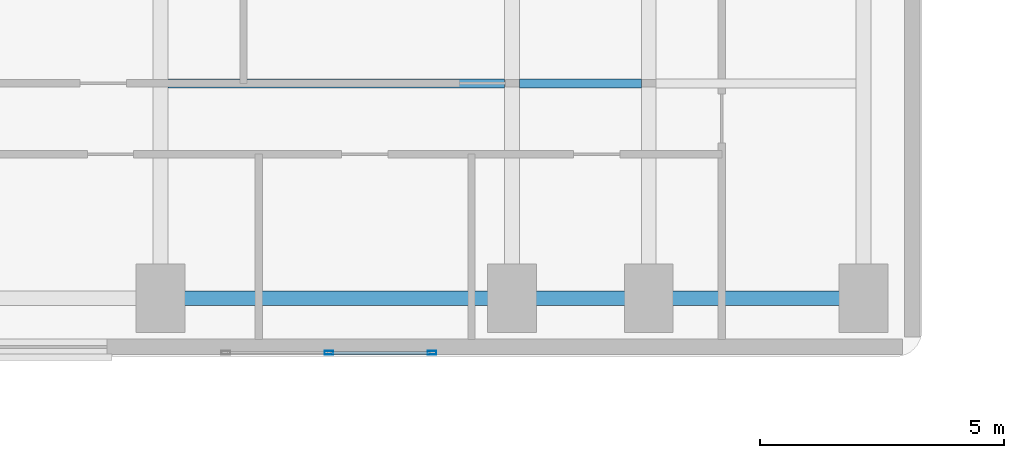
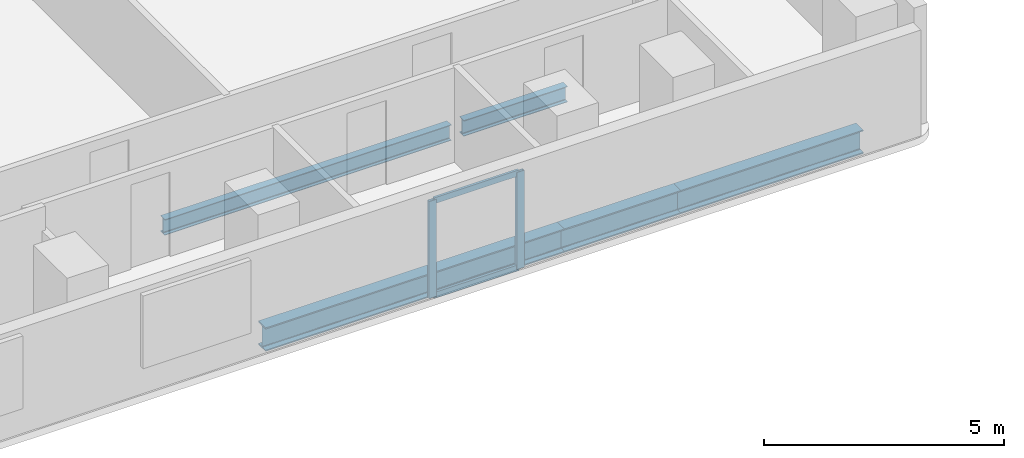
# One storey, part 6 of 15: 5 beams, 4 members, 1 element without a shape of its own.
"""IFC4 building model written with IfcOpenShell, lengths in metres."""

from ifc_helpers import new_model, si_unit, direction, frame, origin, origin_2d, place, context, subcontext, project, spatial, hollow_rectangle, i_section, extrude, material, material_profile, profile_set, type_object, element, aggregate, save


model = new_model("IFC4")

# Units and contexts
model_context = context("Model", 3, precision=1e-05, world=origin(), true_north=direction((0.0, 1.0)))
body_context = subcontext(model_context, "Body", "Model", "MODEL_VIEW")
ifc_project = project(units=[si_unit("LENGTHUNIT", "METRE"), si_unit("AREAUNIT", "SQUARE_METRE"), si_unit("VOLUMEUNIT", "CUBIC_METRE"), si_unit("PLANEANGLEUNIT", "RADIAN"), si_unit("MASSUNIT", "GRAM", prefix="KILO")], contexts=[model_context])

# Site, building, storey
site_placement = place(None, origin())
site = spatial("IfcSite", under=ifc_project, at=site_placement, CompositionType="ELEMENT")
building_placement = place(site_placement, origin())
building = spatial("IfcBuilding", under=site, at=building_placement, Name="Kuzgunbayir Cultural Tower", CompositionType="ELEMENT")
storey_placement = place(building_placement, frame((0.0, 0.0, 59.60009765625)))
storey = spatial("IfcBuildingStorey", under=building, at=storey_placement, Name="L16", CompositionType="ELEMENT", Elevation=59.60009765625)

# Beams
ifc_material_1 = material(Name="Steel S355J2", Category="steel")
ifc_material_profile_1 = material_profile(ifc_material_1, i_section(OverallWidth=0.300048828125, OverallDepth=0.60009765625, WebThickness=0.015380859375, FlangeThickness=0.030029296875, FilletRadius=0.027099609375, at=origin_2d()), Name="HEB 600")
ifc_profile_set_1 = profile_set([ifc_material_profile_1], Name="Steel S355J2")
beam_type_1 = type_object("IfcBeamType", Name="BM-EXT-HEB600", PredefinedType="BEAM", material=ifc_profile_set_1)
beam_1_placement = place(storey_placement, frame((31.199951171875, 27.60009765625, -0.47998046875), z_axis=(1.0, 0.0, 0.0), x_axis=(0.0, 1.0, 0.0)))
element("IfcBeam", 1, at=beam_1_placement, inside=storey, type_object=beam_type_1, Name="L16 Wing B South Girder 2", PredefinedType="BEAM", context=body_context, shape_type="SweptSolid", body=[
    extrude(i_section(OverallWidth=0.300048828125, OverallDepth=0.60009765625, WebThickness=0.015380859375, FlangeThickness=0.030029296875, FilletRadius=0.027099609375, at=origin_2d()), origin(), (0.0, 0.0, 1.0), 7.199951171875),
])
beam_2_placement = place(storey_placement, frame((38.39990234375, 27.60009765625, -0.47998046875), z_axis=(1.0, 0.0, 0.0), x_axis=(0.0, 1.0, 0.0)))
element("IfcBeam", 2, at=beam_2_placement, inside=storey, type_object=beam_type_1, Name="L16 Wing B South Girder 3", PredefinedType="BEAM", context=body_context, shape_type="SweptSolid", body=[
    extrude(i_section(OverallWidth=0.300048828125, OverallDepth=0.60009765625, WebThickness=0.015380859375, FlangeThickness=0.030029296875, FilletRadius=0.027099609375, at=origin_2d()), origin(), (0.0, 0.0, 1.0), 2.800048828125),
])
beam_3_placement = place(storey_placement, frame((41.199951171875, 27.60009765625, -0.47998046875), z_axis=(1.0, 0.0, 0.0), x_axis=(0.0, 1.0, 0.0)))
element("IfcBeam", 3, at=beam_3_placement, inside=storey, type_object=beam_type_1, Name="L16 Wing B South Girder 4", PredefinedType="BEAM", context=body_context, shape_type="SweptSolid", body=[
    extrude(i_section(OverallWidth=0.300048828125, OverallDepth=0.60009765625, WebThickness=0.015380859375, FlangeThickness=0.030029296875, FilletRadius=0.027099609375, at=origin_2d()), origin(), (0.0, 0.0, 1.0), 4.400146484375),
])
ifc_material_profile_2 = material_profile(ifc_material_1, i_section(OverallWidth=0.179931640625, OverallDepth=0.39990234375, WebThickness=0.008544921875, FlangeThickness=0.013427734375, FilletRadius=0.02099609375, at=origin_2d()), Name="IPE 400")
ifc_profile_set_2 = profile_set([ifc_material_profile_2], Name="Steel S355J2")
beam_type_2 = type_object("IfcBeamType", Name="BM-JST-IPE400", PredefinedType="JOIST", material=ifc_profile_set_2)
beam_4_placement = place(storey_placement, frame((31.35009765625, 32.0, -0.380126953125), z_axis=(1.0, 0.0, 0.0), x_axis=(0.0, 1.0, 0.0)))
element("IfcBeam", 4, at=beam_4_placement, inside=storey, type_object=beam_type_2, Name="L16 Wing B Secondary Joist 1.1", PredefinedType="JOIST", context=body_context, shape_type="SweptSolid", body=[
    extrude(i_section(OverallWidth=0.179931640625, OverallDepth=0.39990234375, WebThickness=0.008544921875, FlangeThickness=0.013427734375, FilletRadius=0.02099609375, at=origin_2d()), origin(), (0.0, 0.0, 1.0), 6.89990234375),
])
beam_5_placement = place(storey_placement, frame((38.550048828125, 32.0, -0.380126953125), z_axis=(1.0, 0.0, 0.0), x_axis=(0.0, 1.0, 0.0)))
element("IfcBeam", 5, at=beam_5_placement, inside=storey, type_object=beam_type_2, Name="L16 Wing B Secondary Joist 2.1", PredefinedType="JOIST", context=body_context, shape_type="SweptSolid", body=[
    extrude(i_section(OverallWidth=0.179931640625, OverallDepth=0.39990234375, WebThickness=0.008544921875, FlangeThickness=0.013427734375, FilletRadius=0.02099609375, at=origin_2d()), origin(), (0.0, 0.0, 1.0), 2.5),
])

# Curtain wall, members
ifc_material_2 = material(Name="Anodised Aluminium Framing", Category="aluminium")
curtain_wall_type = type_object("IfcCurtainWallType", Name="CW03-T1-OFFICE", PredefinedType="NOTDEFINED", material=ifc_material_2)
curtain_wall_placement = place(storey_placement, origin())
curtain_wall = element("IfcCurtainWall", 6, at=curtain_wall_placement, inside=storey, type_object=curtain_wall_type, Name="L16 Wing B South Feature Curtain Wall", PredefinedType="NOTDEFINED")
ifc_material_profile_3 = material_profile(ifc_material_2, hollow_rectangle(XDim=0.074951171875, YDim=0.179931640625, WallThickness=0.0048828125, at=origin_2d()), Name="RHS 180x75x5")
ifc_profile_set_3 = profile_set([ifc_material_profile_3], Name="Anodised Aluminium Framing")
member_type_1 = type_object("IfcMemberType", Name="MEM-CW-MULLION-180", PredefinedType="MULLION", material=ifc_profile_set_3)
member_1_placement = place(storey_placement, frame((34.64990234375, 26.47998046875, 0.0), z_axis=(0.0, 0.0, 1.0), x_axis=(0.0, 1.0, 0.0)))
member_1 = element("IfcMember", 7, at=member_1_placement, type_object=member_type_1, Name="CW03 mullion 2", PredefinedType="MULLION", context=body_context, shape_type="SweptSolid", body=[
    extrude(hollow_rectangle(XDim=0.074951171875, YDim=0.179931640625, WallThickness=0.0048828125, at=origin_2d()), origin(), (0.0, 0.0, 1.0), 2.469970703125),
])
member_2_placement = place(storey_placement, frame((36.762451171875, 26.47998046875, 0.0), z_axis=(0.0, 0.0, 1.0), x_axis=(0.0, 1.0, 0.0)))
member_2 = element("IfcMember", 8, at=member_2_placement, type_object=member_type_1, Name="CW03 mullion 3", PredefinedType="MULLION", context=body_context, shape_type="SweptSolid", body=[
    extrude(hollow_rectangle(XDim=0.074951171875, YDim=0.179931640625, WallThickness=0.0048828125, at=origin_2d()), origin(), (0.0, 0.0, 1.0), 2.469970703125),
])
ifc_material_profile_4 = material_profile(ifc_material_2, hollow_rectangle(XDim=0.06005859375, YDim=0.14990234375, WallThickness=0.00390625, at=origin_2d()), Name="RHS 150x60x4")
ifc_profile_set_4 = profile_set([ifc_material_profile_4], Name="Anodised Aluminium Framing")
member_type_2 = type_object("IfcMemberType", Name="MEM-CW-TRANSOM-150", PredefinedType="USERDEFINED", material=ifc_profile_set_4)
member_3_placement = place(storey_placement, frame((34.6875, 26.47998046875, 0.02978515625), z_axis=(1.0, 0.0, 0.0), x_axis=(0.0, 1.0, 0.0)))
member_3 = element("IfcMember", 9, at=member_3_placement, type_object=member_type_2, Name="CW03 transom 2.1", ObjectType="TRANSOM", PredefinedType="USERDEFINED", context=body_context, shape_type="SweptSolid", body=[
    extrude(hollow_rectangle(XDim=0.06005859375, YDim=0.14990234375, WallThickness=0.00390625, at=origin_2d()), origin(), (0.0, 0.0, 1.0), 2.03759765625),
])
member_4_placement = place(storey_placement, frame((34.6875, 26.47998046875, 2.43994140625), z_axis=(1.0, 0.0, 0.0), x_axis=(0.0, 1.0, 0.0)))
member_4 = element("IfcMember", 10, at=member_4_placement, type_object=member_type_2, Name="CW03 transom 2.2", ObjectType="TRANSOM", PredefinedType="USERDEFINED", context=body_context, shape_type="SweptSolid", body=[
    extrude(hollow_rectangle(XDim=0.06005859375, YDim=0.14990234375, WallThickness=0.00390625, at=origin_2d()), origin(), (0.0, 0.0, 1.0), 2.03759765625),
])
aggregate(curtain_wall, [member_1, member_2, member_3, member_4])

save(model, "model.ifc")
